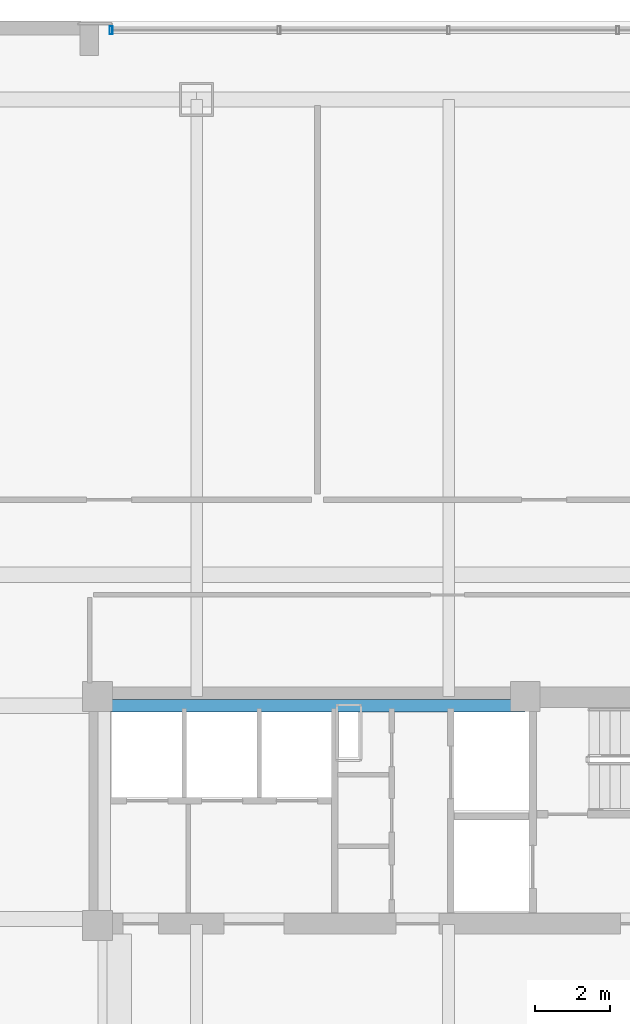
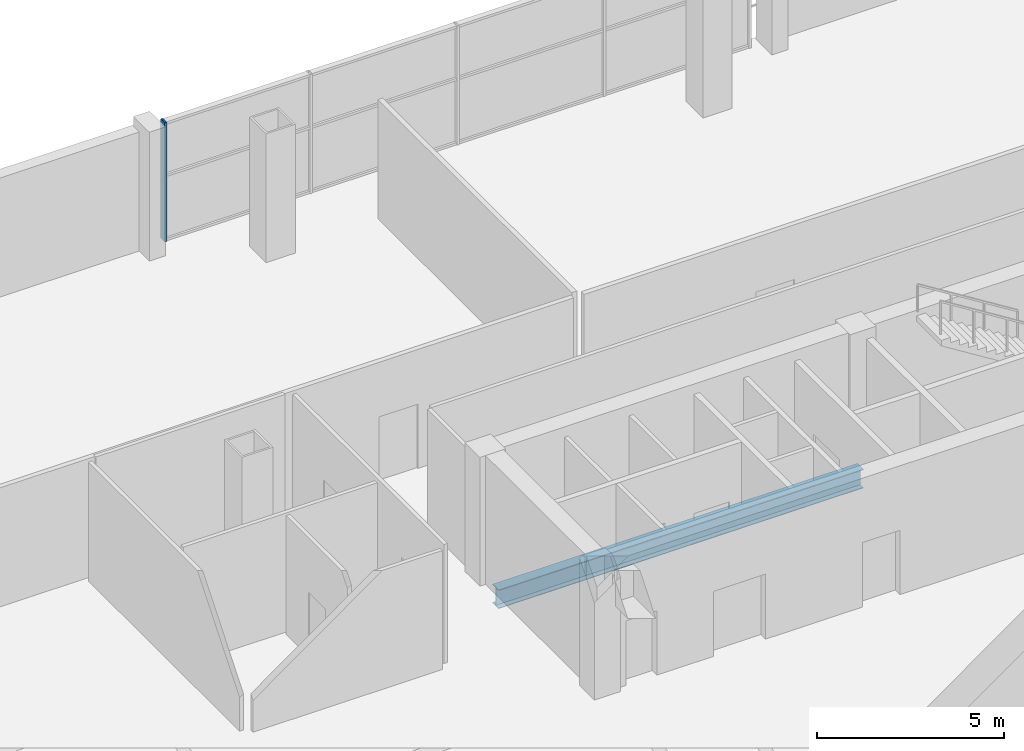
# One storey, part 8 of 21: 1 beam, 1 member, 1 element without a shape of its own.
"""IFC4 building model written with IfcOpenShell, lengths in metres."""

import ifcopenshell
import ifcopenshell.guid

model = None  # the IFC model being written
_history = None  # IfcOwnerHistory: only IFC2X3 demands one
_inside = {}  # id of a spatial element -> (the spatial element, [elements in it])
_under = {}  # id of a project, library or spatial element -> (it, [spatial elements below it])
_declared = {}  # id of a project -> (the project, [libraries it declares])
_typed = {}  # id of a type object -> (the type object, [elements of that type])
_made_of = {}  # id of a material, layer set ... -> (it, [elements and type objects made of it])


def new_model(schema):
    """Start an empty IFC model of exactly this schema.

    Asked for "IFC4X3", IfcOpenShell would pick the latest addendum, in which some entities
    have other attributes; the version numbers below select the first issue.
    IFC2X3 requires an IfcOwnerHistory on every rooted entity: one is made here for all.
    """
    global model, _history
    if schema == "IFC4X3":
        model = ifcopenshell.file(schema_version=(4, 3, 0, 0))
    else:
        model = ifcopenshell.file(schema=schema)
    _inside.clear()
    _under.clear()
    _declared.clear()
    _typed.clear()
    _made_of.clear()
    _history = None
    if model.schema == "IFC2X3":
        org = make("IfcOrganization", Name="unknown")
        user = make(
            "IfcPersonAndOrganization",
            ThePerson=make("IfcPerson", FamilyName="unknown"),
            TheOrganization=org,
        )
        app = make(
            "IfcApplication",
            ApplicationDeveloper=org,
            Version="unknown",
            ApplicationFullName="unknown",
            ApplicationIdentifier="unknown",
        )
        _history = make(
            "IfcOwnerHistory",
            OwningUser=user,
            OwningApplication=app,
            ChangeAction="ADDED",
            CreationDate=0,
        )
    return model


def make(cls, **values):
    """One entity of the class cls with the attributes given. An attribute that is None is left unset."""
    return model.create_entity(
        cls, **{name: value for name, value in values.items() if value is not None}
    )


def rooted(cls, **values):
    """An entity with a GlobalId (a new one), such as an element, a storey or a relation."""
    return make(cls, GlobalId=ifcopenshell.guid.new(), OwnerHistory=_history, **values)


def si_unit(unit_type, name, prefix=None):
    """IfcSIUnit, for example si_unit("LENGTHUNIT", "METRE", prefix="MILLI")."""
    return make("IfcSIUnit", UnitType=unit_type, Prefix=prefix, Name=name)


def assignment(units):
    """IfcUnitAssignment: the units of a project."""
    return None if units is None else make("IfcUnitAssignment", Units=units)


def point(xyz):
    """IfcCartesianPoint."""
    return None if xyz is None else make("IfcCartesianPoint", Coordinates=xyz)


def direction(xyz):
    """IfcDirection."""
    return None if xyz is None else make("IfcDirection", DirectionRatios=xyz)


def frame(location, z_axis=None, x_axis=None):
    """IfcAxis2Placement3D, a coordinate frame: its origin and axes. An axis left out is left unset."""
    return make(
        "IfcAxis2Placement3D",
        Location=point(location),
        Axis=direction(z_axis),
        RefDirection=direction(x_axis),
    )


def frame_2d(location, x_axis=None):
    """IfcAxis2Placement2D, a coordinate frame in the plane: its origin and x axis."""
    return make(
        "IfcAxis2Placement2D", Location=point(location), RefDirection=direction(x_axis)
    )


def origin():
    """The frame at (0, 0, 0) with its axes left unset."""
    return frame((0.0, 0.0, 0.0))


def origin_2d():
    """The frame at (0, 0) in the plane with its x axis left unset."""
    return frame_2d((0.0, 0.0))


def place(relative_to, where):
    """IfcLocalPlacement: puts the frame where relative to a parent placement (None: the world)."""
    return make(
        "IfcLocalPlacement", PlacementRelTo=relative_to, RelativePlacement=where
    )


def context(
    kind, dimensions, precision=None, world=None, true_north=None, identifier=None
):
    """IfcGeometricRepresentationContext, for example the 3D "Model" context."""
    return make(
        "IfcGeometricRepresentationContext",
        ContextIdentifier=identifier,
        ContextType=kind,
        CoordinateSpaceDimension=dimensions,
        Precision=precision,
        WorldCoordinateSystem=world,
        TrueNorth=true_north,
    )


def subcontext(parent, identifier, kind, view, scale=None):
    """IfcGeometricRepresentationSubContext, for example "Body" below "Model"."""
    return make(
        "IfcGeometricRepresentationSubContext",
        ContextIdentifier=identifier,
        ContextType=kind,
        ParentContext=parent,
        TargetScale=scale,
        TargetView=view,
    )


def project(units=None, contexts=None):
    """IfcProject with its units and contexts."""
    return rooted(
        "IfcProject",
        Name="project",
        RepresentationContexts=contexts,
        UnitsInContext=assignment(units),
    )


def spatial(cls, under=None, at=None, **own):
    """A site, building, storey or space (cls), placed at a placement, below another one or the project."""
    s = rooted(cls, ObjectPlacement=at, **own)
    if under is not None:
        _under.setdefault(under.id(), (under, []))[1].append(s)
    return s


def profile(cls, at=None, kind="AREA", **sizes):
    """A parametric profile (cls). Its sizes go by their IFC names, for example OverallWidth=200.0."""
    return make(cls, ProfileType=kind, Position=at, **sizes)


def hollow_rectangle(**sizes):
    """IfcRectangleHollowProfileDef."""
    return profile("IfcRectangleHollowProfileDef", **sizes)


def i_section(**sizes):
    """IfcIShapeProfileDef."""
    return profile("IfcIShapeProfileDef", **sizes)


def extrude(swept, where, along, depth):
    """IfcExtrudedAreaSolid: the profile swept, set in the frame where, extruded along a direction by depth."""
    return make(
        "IfcExtrudedAreaSolid",
        SweptArea=swept,
        Position=where,
        ExtrudedDirection=direction(along),
        Depth=depth,
    )


def shape(context_of_items, identifier, shape_type, items):
    """IfcShapeRepresentation: the items that make up one representation, for example the "Body"."""
    return make(
        "IfcShapeRepresentation",
        ContextOfItems=context_of_items,
        RepresentationIdentifier=identifier,
        RepresentationType=shape_type,
        Items=items,
    )


def material(Name=None, Category=None):
    """IfcMaterial."""
    return make("IfcMaterial", Name=Name, Category=Category)


def layer(
    of_material, thickness, ventilated=None, Name=None, Category=None, Priority=None
):
    """IfcMaterialLayer: one layer of a wall or slab, of a material (None: an air gap)."""
    return make(
        "IfcMaterialLayer",
        Material=of_material,
        LayerThickness=thickness,
        IsVentilated=ventilated,
        Name=Name,
        Category=Category,
        Priority=Priority,
    )


def layer_set(layers, Name=None):
    """IfcMaterialLayerSet."""
    return make("IfcMaterialLayerSet", MaterialLayers=layers, LayerSetName=Name)


def material_profile(
    of_material, cross_section, Name=None, Category=None, Priority=None
):
    """IfcMaterialProfile: a cross section and its material."""
    return make(
        "IfcMaterialProfile",
        Name=Name,
        Material=of_material,
        Profile=cross_section,
        Priority=Priority,
        Category=Category,
    )


def profile_set(profiles, Name=None, composite=None):
    """IfcMaterialProfileSet."""
    return make(
        "IfcMaterialProfileSet",
        Name=Name,
        MaterialProfiles=profiles,
        CompositeProfile=composite,
    )


def made_of(thing, what):
    """Note that an element or type object is made of a material, layer set ...; save() writes the relation."""
    if what is not None:
        _made_of.setdefault(what.id(), (what, []))[1].append(thing)
    return thing


def type_object(cls, material=None, **own):
    """A type object (cls), such as IfcWallType, which elements share."""
    return made_of(rooted(cls, **own), material)


def element(
    cls,
    number,
    at=None,
    inside=None,
    cuts=None,
    type_object=None,
    material=None,
    context=None,
    identifier="Body",
    shape_type=None,
    held_by="IfcProductDefinitionShape",
    body=None,
    shapes=None,
    **own,
):
    """One element of the class cls, such as IfcWall. Its Tag is "e" and its number.

    at: its placement. inside: the storey or other place that contains it. cuts: it is an
    opening in that element (IfcRelVoidsElement). A single representation is given by context,
    identifier, shape_type and body (its items); several are given by shapes. held_by: the class
    of the entity that holds the representations. save() writes the other relations.
    """
    e = rooted(cls, Tag="e%d" % number, ObjectPlacement=at, **own)
    if body is not None:
        shapes = [shape(context, identifier, shape_type, body)]
    if shapes is not None:
        e.Representation = make(held_by, Representations=shapes)
    if inside is not None:
        _inside.setdefault(inside.id(), (inside, []))[1].append(e)
    if cuts is not None:
        rooted(
            "IfcRelVoidsElement", RelatingBuildingElement=cuts, RelatedOpeningElement=e
        )
    if type_object is not None:
        _typed.setdefault(type_object.id(), (type_object, []))[1].append(e)
    return made_of(e, material)


def aggregate(whole, parts):
    """IfcRelAggregates: a whole, such as a stair, and the parts it consists of."""
    return rooted("IfcRelAggregates", RelatingObject=whole, RelatedObjects=parts)


def save(model, path):
    """Write the relations noted so far, then the file.

    IfcRelAggregates (storeys below a building ...), IfcRelContainedInSpatialStructure (elements
    in a storey), IfcRelDefinesByType, IfcRelAssociatesMaterial and IfcRelDeclares: one each for
    every whole, place, type object, material and project.
    """
    for whole, parts in _under.values():
        aggregate(whole, parts)
    for where, things in _inside.values():
        rooted(
            "IfcRelContainedInSpatialStructure",
            RelatedElements=things,
            RelatingStructure=where,
        )
    for kind, things in _typed.values():
        rooted("IfcRelDefinesByType", RelatedObjects=things, RelatingType=kind)
    for what, things in _made_of.values():
        rooted("IfcRelAssociatesMaterial", RelatedObjects=things, RelatingMaterial=what)
    for by, libraries in _declared.values():
        rooted("IfcRelDeclares", RelatingContext=by, RelatedDefinitions=libraries)
    model.write(path)


model = new_model("IFC4")

# Units and contexts
model_context = context("Model", 3, precision=1e-05, world=origin(), true_north=direction((0.0, 1.0)))
body_context = subcontext(model_context, "Body", "Model", "MODEL_VIEW")
ifc_project = project(units=[si_unit("LENGTHUNIT", "METRE"), si_unit("AREAUNIT", "SQUARE_METRE"), si_unit("VOLUMEUNIT", "CUBIC_METRE"), si_unit("PLANEANGLEUNIT", "RADIAN"), si_unit("MASSUNIT", "GRAM", prefix="KILO")], contexts=[model_context])

# Site, building, storey
site_placement = place(None, origin())
site = spatial("IfcSite", under=ifc_project, at=site_placement, CompositionType="ELEMENT")
building_placement = place(site_placement, origin())
building = spatial("IfcBuilding", under=site, at=building_placement, Name="Qhalaya Broadcast Tower", CompositionType="ELEMENT")
storey_placement = place(building_placement, frame((0.0, 0.0, 5.10009765625)))
storey = spatial("IfcBuildingStorey", under=building, at=storey_placement, Name="L01", CompositionType="ELEMENT", Elevation=5.10009765625)

# Beam
ifc_material_1 = material(Name="Structural Steel ASTM A992 Grade 50", Category="steel")
ifc_material_profile_1 = material_profile(ifc_material_1, i_section(OverallWidth=0.323974609375, OverallDepth=0.612060546875, WebThickness=0.0126953125, FlangeThickness=0.01904296875, at=origin_2d()), Name="W24X104")
ifc_profile_set_1 = profile_set([ifc_material_profile_1], Name="Structural Steel ASTM A992 Grade 50")
beam_type = type_object("IfcBeamType", Name="Core Frame Tie Beam B04", PredefinedType="BEAM", material=ifc_profile_set_1)
beam_placement = place(storey_placement, frame((-9.199951171875, 9.699951171875, -0.6259765625), z_axis=(1.0, 0.0, 0.0), x_axis=(0.0, 1.0, 0.0)))
element("IfcBeam", 1, at=beam_placement, inside=storey, type_object=beam_type, Name="L01 B04 L01-CCN3", PredefinedType="BEAM", context=body_context, shape_type="SweptSolid", body=[
    extrude(i_section(OverallWidth=0.323974609375, OverallDepth=0.612060546875, WebThickness=0.0126953125, FlangeThickness=0.01904296875, at=origin_2d()), origin(), (0.0, 0.0, 1.0), 11.25),
])

# Curtain wall, member
ifc_material_2 = material(Name="Solar-Control Low-E Triple Glazing", Category="glass")
ifc_layer = layer(ifc_material_2, 0.219970703125, Name="Solar-Control Low-E Triple Glazing")
ifc_layer_set = layer_set([ifc_layer], Name="Solar-Control Low-E Triple Glazing")
curtain_wall_type = type_object("IfcCurtainWallType", Name="Podium Concourse Triple-Height Glazed Portal CW-01", PredefinedType="NOTDEFINED", material=ifc_layer_set)
curtain_wall_placement = place(storey_placement, origin())
curtain_wall = element("IfcCurtainWall", 2, at=curtain_wall_placement, inside=storey, type_object=curtain_wall_type, Name="L01 Unitised Curtain Wall L01-CW01-N", PredefinedType="NOTDEFINED")
ifc_material_3 = material(Name="Anodised Aluminium 6063-T6", Category="aluminium")
ifc_material_profile_2 = material_profile(ifc_material_3, hollow_rectangle(XDim=0.074951171875, YDim=0.219970703125, WallThickness=0.00390625, at=origin_2d()), Name="ALU-MUL 75x220x4")
ifc_profile_set_2 = profile_set([ifc_material_profile_2], Name="Anodised Aluminium 6063-T6")
member_type = type_object("IfcMemberType", Name="Unitised Curtain-Wall Mullion M01", PredefinedType="MULLION", material=ifc_profile_set_2)
member_placement = place(storey_placement, frame((-9.012451171875, 27.75, 0.0), z_axis=(0.0, 0.0, 1.0), x_axis=(-1.0, 0.0, 0.0)))
member = element("IfcMember", 3, at=member_placement, type_object=member_type, Name="CW-01 mullion 5", PredefinedType="MULLION", context=body_context, shape_type="SweptSolid", body=[
    extrude(hollow_rectangle(XDim=0.074951171875, YDim=0.219970703125, WallThickness=0.00390625, at=origin_2d()), origin(), (0.0, 0.0, 1.0), 3.8798828125),
])
aggregate(curtain_wall, [member])

save(model, "model.ifc")
